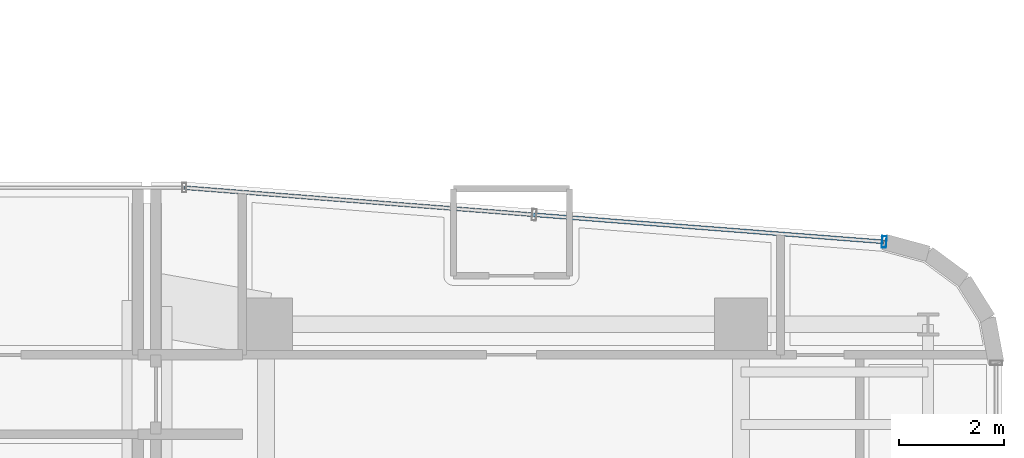
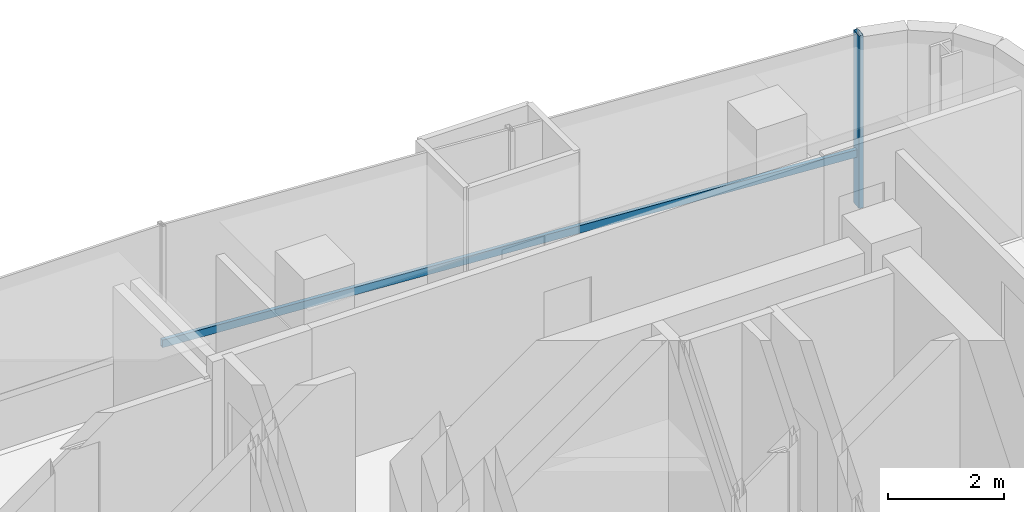
# One storey, part 23 of 36: 2 members, 1 element without a shape of its own.
"""IFC4 building model written with IfcOpenShell, lengths in metres."""

from ifc_helpers import new_model, si_unit, direction, frame, origin, origin_2d, place, context, subcontext, project, spatial, hollow_rectangle, extrude, source, transform, mapped, material, material_profile, profile_set, type_object, element, aggregate, save


model = new_model("IFC4")

# Units and contexts
model_context = context("Model", 3, precision=1e-05, world=origin(), true_north=direction((0.0, 1.0)))
body_context = subcontext(model_context, "Body", "Model", "MODEL_VIEW")
ifc_project = project(units=[si_unit("LENGTHUNIT", "METRE"), si_unit("AREAUNIT", "SQUARE_METRE"), si_unit("VOLUMEUNIT", "CUBIC_METRE"), si_unit("PLANEANGLEUNIT", "RADIAN"), si_unit("MASSUNIT", "GRAM", prefix="KILO")], contexts=[model_context])

# Site, building, storey
site_placement = place(None, origin())
site = spatial("IfcSite", under=ifc_project, at=site_placement, CompositionType="ELEMENT")
building_placement = place(site_placement, origin())
building = spatial("IfcBuilding", under=site, at=building_placement, Name="Valdorenza Pilgrim Sanctuary Tower", CompositionType="ELEMENT")
storey_placement = place(building_placement, frame((0.0, 0.0, 176.550048828125)))
storey = spatial("IfcBuildingStorey", under=building, at=storey_placement, Name="L45", CompositionType="ELEMENT", Elevation=176.550048828125)

# Curtain wall, members
ifc_material_1 = material(Name="Curtain-wall IGU glazing", Category="glass")
curtain_wall_type = type_object("IfcCurtainWallType", Name="CW-SYS-03", PredefinedType="NOTDEFINED", material=ifc_material_1)
curtain_wall_placement = place(storey_placement, origin())
curtain_wall = element("IfcCurtainWall", 1, at=curtain_wall_placement, inside=storey, type_object=curtain_wall_type, Name="L45 Curtain Wall CW-L45-1-32", PredefinedType="NOTDEFINED")
ifc_material_2 = material(Name="Anodised aluminium AW-6060", Category="aluminium")
ifc_material_profile_1 = material_profile(ifc_material_2, hollow_rectangle(XDim=0.074951171875, YDim=0.159912109375, WallThickness=0.00390625, at=origin_2d()), Name="ALU-T 160x75x4")
ifc_profile_set_1 = profile_set([ifc_material_profile_1], Name="Anodised aluminium AW-6060")
member_type_1 = type_object("IfcMemberType", Name="CW-TRN-03", PredefinedType="USERDEFINED", material=ifc_profile_set_1)
shared_shape_1 = source(origin(), body_context, "Body", "SweptSolid", [
    extrude(hollow_rectangle(XDim=0.074951171875, YDim=0.159912109375, WallThickness=0.00390625, at=origin_2d()), origin(), (0.0, 0.0, 1.0), 13.310546875),
])
member_1_placement = place(storey_placement, frame((14.295654296875, 16.090087890625, 1.119873046875), z_axis=(0.997015515781, -0.077201433227, 0.0), x_axis=(0.077201433227, 0.997015515781, 0.0)))
member_1 = element("IfcMember", 2, at=member_1_placement, type_object=member_type_1, Name="CW-L45-1-32 Transom 1", ObjectType="TRANSOM", PredefinedType="USERDEFINED", context=body_context, shape_type="MappedRepresentation", body=[
    mapped(shared_shape_1, transform((0.0, 0.0, 0.0), x_axis=(1.0, 0.0, 0.0), y_axis=(0.0, 1.0, 0.0), z_axis=(0.0, 0.0, 1.0), scale=1.0)),
])
ifc_material_profile_2 = material_profile(ifc_material_2, hollow_rectangle(XDim=0.0849609375, YDim=0.219970703125, WallThickness=0.0048828125, at=origin_2d()), Name="ALU-M 220x85x5")
ifc_profile_set_2 = profile_set([ifc_material_profile_2], Name="Anodised aluminium AW-6060")
member_type_2 = type_object("IfcMemberType", Name="CW-MUL-03", PredefinedType="MULLION", material=ifc_profile_set_2)
shared_shape_2 = source(origin(), body_context, "Body", "SweptSolid", [
    extrude(hollow_rectangle(XDim=0.0849609375, YDim=0.219970703125, WallThickness=0.0048828125, at=origin_2d()), origin(), (0.0, 0.0, 1.0), 3.6298828125),
])
member_2_placement = place(storey_placement, frame((27.56640625, 15.0625, 0.0), z_axis=(0.0, 0.0, 1.0), x_axis=(0.997016488532, -0.077188869631, 0.0)))
member_2 = element("IfcMember", 3, at=member_2_placement, type_object=member_type_2, Name="CW-L45-1-32 Mullion 3", PredefinedType="MULLION", context=body_context, shape_type="MappedRepresentation", body=[
    mapped(shared_shape_2, transform((0.0, 0.0, 0.0), x_axis=(1.0, 0.0, 0.0), y_axis=(0.0, 1.0, 0.0), z_axis=(0.0, 0.0, 1.0), scale=1.0)),
])
aggregate(curtain_wall, [member_2, member_1])

save(model, "model.ifc")
